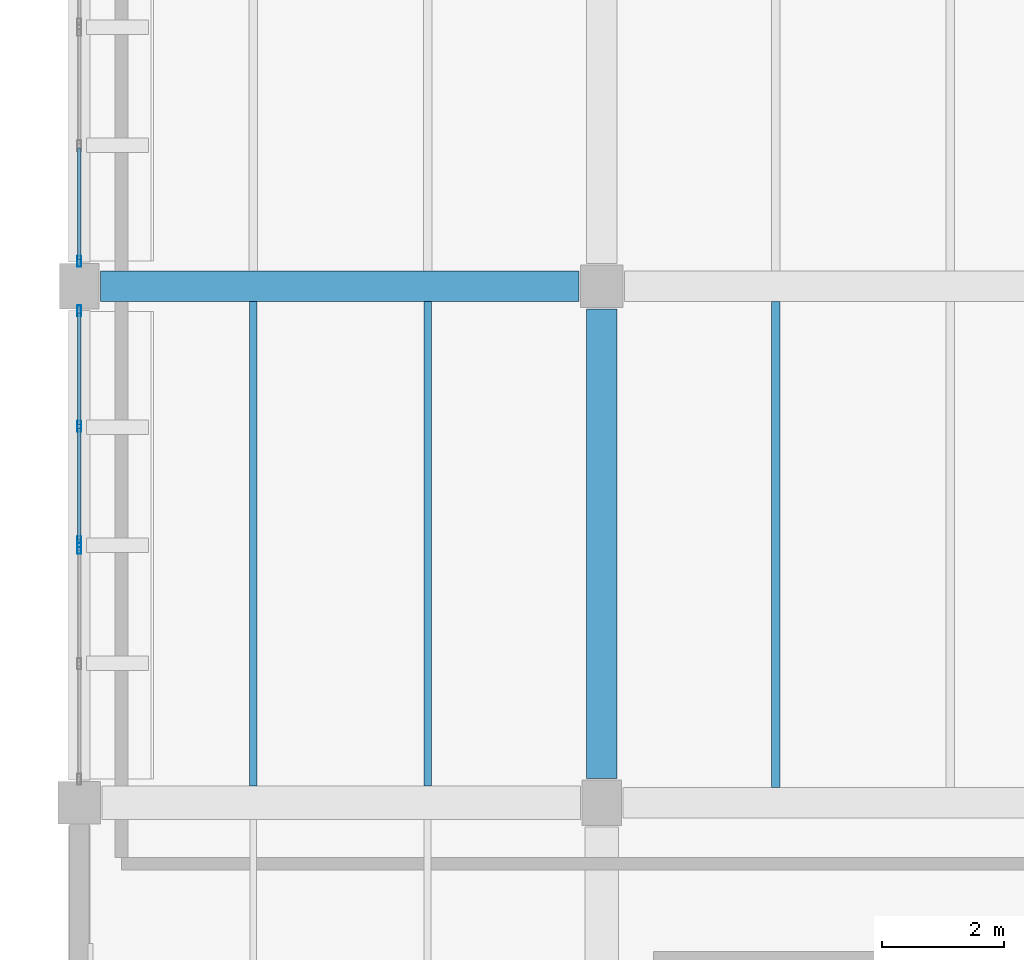
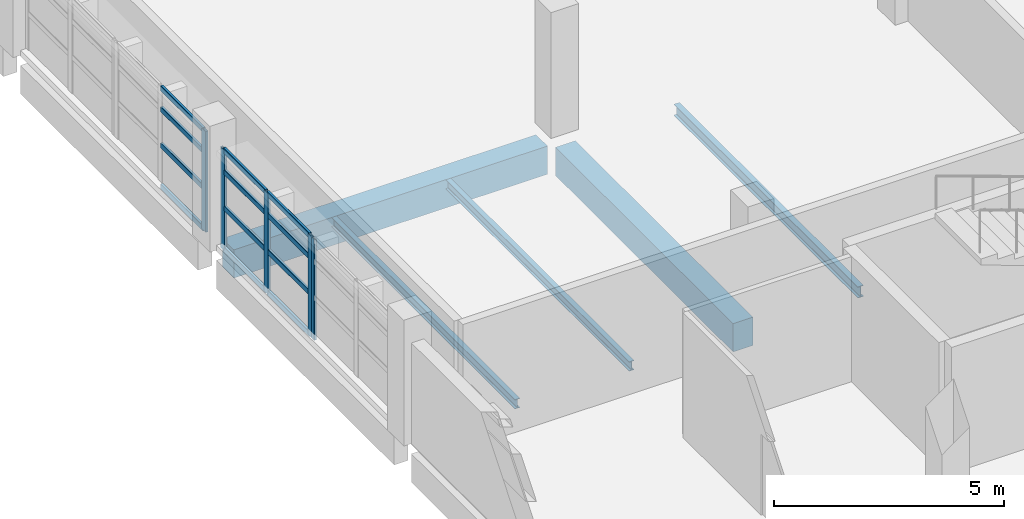
# One storey, part 16 of 75: 17 members, 5 beams, 3 elements without a shape of their own.
"""IFC4 building model written with IfcOpenShell, lengths in metres."""

from ifc_helpers import new_model, si_unit, direction, frame, origin, origin_2d, place, context, subcontext, project, spatial, rectangle, hollow_rectangle, i_section, extrude, material, material_profile, profile_set, type_object, element, aggregate, save


model = new_model("IFC4")

# Units and contexts
model_context = context("Model", 3, precision=1e-05, world=origin(), true_north=direction((0.0, 1.0)))
body_context = subcontext(model_context, "Body", "Model", "MODEL_VIEW")
ifc_project = project(units=[si_unit("LENGTHUNIT", "METRE"), si_unit("AREAUNIT", "SQUARE_METRE"), si_unit("VOLUMEUNIT", "CUBIC_METRE"), si_unit("PLANEANGLEUNIT", "RADIAN"), si_unit("MASSUNIT", "GRAM", prefix="KILO")], contexts=[model_context])

# Site, building, storey
site_placement = place(None, origin())
site = spatial("IfcSite", under=ifc_project, at=site_placement, CompositionType="ELEMENT")
building_placement = place(site_placement, origin())
building = spatial("IfcBuilding", under=site, at=building_placement, Name="Varnakota Cinema and Media Centre", CompositionType="ELEMENT")
storey_placement = place(building_placement, frame((0.0, 0.0, 8.39990234375)))
storey = spatial("IfcBuildingStorey", under=building, at=storey_placement, Name="L02", CompositionType="ELEMENT", Elevation=8.39990234375)

# Beams
ifc_material_1 = material(Name="Concrete M35", Category="concrete")
ifc_material_profile_1 = material_profile(ifc_material_1, rectangle(XDim=0.5, YDim=0.75, at=origin_2d()), Name="RCB 500x750")
ifc_profile_set_1 = profile_set([ifc_material_profile_1], Name="Concrete M35")
beam_type_1 = type_object("IfcBeamType", Name="BM-RC-500x750", PredefinedType="BEAM", material=ifc_profile_set_1)
beam_1_placement = place(storey_placement, frame((0.35009765625, 61.0, -0.625), z_axis=(1.0, 0.0, 0.0), x_axis=(0.0, 1.0, 0.0)))
element("IfcBeam", 1, at=beam_1_placement, inside=storey, type_object=beam_type_1, Name="L02 girder A-B/8", PredefinedType="BEAM", context=body_context, shape_type="SweptSolid", body=[
    extrude(rectangle(XDim=0.5, YDim=0.75, at=origin_2d()), origin(), (0.0, 0.0, 1.0), 7.875),
])
beam_2_placement = place(storey_placement, frame((8.60009765625, 52.89990234375, -0.625), z_axis=(0.0, 1.0, 0.0), x_axis=(-1.0, 0.0, 0.0)))
element("IfcBeam", 2, at=beam_2_placement, inside=storey, type_object=beam_type_1, Name="L02 girder B/7-8", PredefinedType="BEAM", context=body_context, shape_type="SweptSolid", body=[
    extrude(rectangle(XDim=0.5, YDim=0.75, at=origin_2d()), origin(), (0.0, 0.0, 1.0), 7.72509765625),
])
ifc_material_2 = material(Name="Structural steel Grade 350 (E350)", Category="steel")
ifc_material_profile_2 = material_profile(ifc_material_2, i_section(OverallWidth=0.125, OverallDepth=0.25, WebThickness=0.0068359375, FlangeThickness=0.012451171875, FilletRadius=0.012939453125, at=origin_2d()), Name="ISMB 250")
ifc_profile_set_2 = profile_set([ifc_material_profile_2], Name="Structural steel Grade 350 (E350)")
beam_type_2 = type_object("IfcBeamType", Name="BM-ST-ISMB250", PredefinedType="JOIST", material=ifc_profile_set_2)
for number, where, z_axis, x_axis, name in (
    (3, (2.86669921875, 52.77490234375, -0.375), (0.0, 1.0, 0.0), (-1.0, 0.0, 0.0), "L02 steel joist A-B/7-8 #1"),
    (4, (5.7333984375, 52.77490234375, -0.375), (0.0, 1.0, 0.0), (-1.0, 0.0, 0.0), "L02 steel joist A-B/7-8 #2"),
):
    element("IfcBeam", number, at=place(storey_placement, frame(where, z_axis=z_axis, x_axis=x_axis)), inside=storey, type_object=beam_type_2, Name=name, PredefinedType="JOIST", context=body_context, shape_type="SweptSolid", body=[
        extrude(i_section(OverallWidth=0.125, OverallDepth=0.25, WebThickness=0.0068359375, FlangeThickness=0.012451171875, FilletRadius=0.012939453125, at=origin_2d()), origin(), (0.0, 0.0, 1.0), 7.97509765625),
    ])
ifc_material_3 = material(Name="Structural steel Grade 350 (E350)", Category="steel")
ifc_material_profile_3 = material_profile(ifc_material_3, i_section(OverallWidth=0.139892578125, OverallDepth=0.300048828125, WebThickness=0.0078125, FlangeThickness=0.01318359375, FilletRadius=0.013916015625, at=origin_2d()), Name="ISMB 300")
ifc_profile_set_3 = profile_set([ifc_material_profile_3], Name="Structural steel Grade 350 (E350)")
beam_type_3 = type_object("IfcBeamType", Name="BM-ST-ISMB300", PredefinedType="JOIST", material=ifc_profile_set_3)
beam_3_placement = place(storey_placement, frame((11.466796875, 52.75, -0.39990234375), z_axis=(0.0, 1.0, 0.0), x_axis=(-1.0, 0.0, 0.0)))
element("IfcBeam", 5, at=beam_3_placement, inside=storey, type_object=beam_type_3, Name="L02 steel joist B-C/7-8 #1", PredefinedType="JOIST", context=body_context, shape_type="SweptSolid", body=[
    extrude(i_section(OverallWidth=0.139892578125, OverallDepth=0.300048828125, WebThickness=0.0078125, FlangeThickness=0.01318359375, FilletRadius=0.013916015625, at=origin_2d()), origin(), (0.0, 0.0, 1.0), 8.0),
])

# Curtain wall, member
ifc_material_4 = material(Name="Thermally broken anodised aluminium AW-6063", Category="aluminium")
curtain_wall_type = type_object("IfcCurtainWallType", Name="CW-STD-387x268", PredefinedType="USERDEFINED", material=ifc_material_4)
curtain_wall_1_placement = place(storey_placement, origin())
curtain_wall_1 = element("IfcCurtainWall", 6, at=curtain_wall_1_placement, inside=storey, type_object=curtain_wall_type, Name="L02 curtain wall CW-L02-V5-W-02-2", ObjectType="UNITISED CURTAIN WALL", PredefinedType="USERDEFINED")
ifc_material_5 = material(Name="Thermally broken anodised aluminium AW-6063", Category="aluminium")
ifc_material_profile_4 = material_profile(ifc_material_5, hollow_rectangle(XDim=0.06494140625, YDim=0.179931640625, WallThickness=0.00390625, InnerFilletRadius=0.00390625, OuterFilletRadius=0.008056640625, at=origin_2d()), Name="AL-MULLION 180x65x4")
ifc_profile_set_4 = profile_set([ifc_material_profile_4], Name="Thermally broken anodised aluminium AW-6063")
member_type_1 = type_object("IfcMemberType", Name="CWM-AL-180", PredefinedType="MULLION", material=ifc_profile_set_4)
member_1_placement = place(storey_placement, frame((0.0, 61.407470703125, 0.0), z_axis=(0.0, 0.0, 1.0), x_axis=(1.0, 0.0, 0.0)))
member_1 = element("IfcMember", 7, at=member_1_placement, type_object=member_type_1, Name="CW39 mullion 3", PredefinedType="MULLION", context=body_context, shape_type="SweptSolid", body=[
    extrude(hollow_rectangle(XDim=0.06494140625, YDim=0.179931640625, WallThickness=0.00390625, InnerFilletRadius=0.00390625, OuterFilletRadius=0.008056640625, at=origin_2d()), origin(), (0.0, 0.0, 1.0), 2.675048828125),
])

# Curtain wall, members
curtain_wall_2_placement = place(storey_placement, origin())
curtain_wall_2 = element("IfcCurtainWall", 8, at=curtain_wall_2_placement, inside=storey, type_object=curtain_wall_type, Name="L02 curtain wall CW-L02-V5-W-03-1", ObjectType="UNITISED CURTAIN WALL", PredefinedType="USERDEFINED")
member_2_placement = place(storey_placement, frame((0.0, 60.592529296875, 0.0), z_axis=(0.0, 0.0, 1.0), x_axis=(1.0, 0.0, 0.0)))
member_2 = element("IfcMember", 9, at=member_2_placement, type_object=member_type_1, Name="CW39 mullion 1", PredefinedType="MULLION", context=body_context, shape_type="SweptSolid", body=[
    extrude(hollow_rectangle(XDim=0.06494140625, YDim=0.179931640625, WallThickness=0.00390625, InnerFilletRadius=0.00390625, OuterFilletRadius=0.008056640625, at=origin_2d()), origin(), (0.0, 0.0, 1.0), 2.675048828125),
])
member_3_placement = place(storey_placement, frame((0.0, 58.691162109375, 0.0), z_axis=(0.0, 0.0, 1.0), x_axis=(1.0, 0.0, 0.0)))
member_3 = element("IfcMember", 10, at=member_3_placement, type_object=member_type_1, Name="CW39 mullion 2", PredefinedType="MULLION", context=body_context, shape_type="SweptSolid", body=[
    extrude(hollow_rectangle(XDim=0.06494140625, YDim=0.179931640625, WallThickness=0.00390625, InnerFilletRadius=0.00390625, OuterFilletRadius=0.008056640625, at=origin_2d()), origin(), (0.0, 0.0, 1.0), 2.675048828125),
])
member_4_placement = place(storey_placement, frame((0.0, 56.7900390625, 0.0), z_axis=(0.0, 0.0, 1.0), x_axis=(1.0, 0.0, 0.0)))
member_4 = element("IfcMember", 11, at=member_4_placement, type_object=member_type_1, Name="CW39 mullion 3", PredefinedType="MULLION", context=body_context, shape_type="SweptSolid", body=[
    extrude(hollow_rectangle(XDim=0.06494140625, YDim=0.179931640625, WallThickness=0.00390625, InnerFilletRadius=0.00390625, OuterFilletRadius=0.008056640625, at=origin_2d()), origin(), (0.0, 0.0, 1.0), 2.675048828125),
])

# Curtain wall, member
curtain_wall_3_placement = place(storey_placement, origin())
curtain_wall_3 = element("IfcCurtainWall", 12, at=curtain_wall_3_placement, inside=storey, type_object=curtain_wall_type, Name="L02 curtain wall CW-L02-V5-W-03-2", ObjectType="UNITISED CURTAIN WALL", PredefinedType="USERDEFINED")
member_5_placement = place(storey_placement, frame((0.0, 56.68505859375, 0.0), z_axis=(0.0, 0.0, 1.0), x_axis=(1.0, 0.0, 0.0)))
member_5 = element("IfcMember", 13, at=member_5_placement, type_object=member_type_1, Name="CW39 mullion 1", PredefinedType="MULLION", context=body_context, shape_type="SweptSolid", body=[
    extrude(hollow_rectangle(XDim=0.06494140625, YDim=0.179931640625, WallThickness=0.00390625, InnerFilletRadius=0.00390625, OuterFilletRadius=0.008056640625, at=origin_2d()), origin(), (0.0, 0.0, 1.0), 2.675048828125),
])
aggregate(curtain_wall_3, [member_5])

# Member
ifc_material_6 = material(Name="Thermally broken anodised aluminium AW-6063", Category="aluminium")
ifc_material_profile_5 = material_profile(ifc_material_6, hollow_rectangle(XDim=0.06494140625, YDim=0.139892578125, WallThickness=0.00390625, InnerFilletRadius=0.00390625, OuterFilletRadius=0.008056640625, at=origin_2d()), Name="AL-TRANSOM 140x65x4")
ifc_profile_set_5 = profile_set([ifc_material_profile_5], Name="Thermally broken anodised aluminium AW-6063")
member_type_2 = type_object("IfcMemberType", Name="CWT-AL-140", PredefinedType="USERDEFINED", material=ifc_profile_set_5)
member_6_placement = place(storey_placement, frame((0.0, 63.2763671875, 0.03271484375), z_axis=(0.0, -1.0, 0.0), x_axis=(1.0, 0.0, 0.0)))
member_6 = element("IfcMember", 14, at=member_6_placement, type_object=member_type_2, Name="CW39 transom 2.1", ObjectType="TRANSOM", PredefinedType="USERDEFINED", context=body_context, shape_type="SweptSolid", body=[
    extrude(hollow_rectangle(XDim=0.06494140625, YDim=0.139892578125, WallThickness=0.00390625, InnerFilletRadius=0.00390625, OuterFilletRadius=0.008056640625, at=origin_2d()), origin(), (0.0, 0.0, 1.0), 1.83642578125),
])

member_7_placement = place(storey_placement, frame((0.0, 63.2763671875, 1.12353515625), z_axis=(0.0, -1.0, 0.0), x_axis=(1.0, 0.0, 0.0)))
member_7 = element("IfcMember", 15, at=member_7_placement, type_object=member_type_2, Name="CW39 transom 2.2", ObjectType="TRANSOM", PredefinedType="USERDEFINED", context=body_context, shape_type="SweptSolid", body=[
    extrude(hollow_rectangle(XDim=0.06494140625, YDim=0.139892578125, WallThickness=0.00390625, InnerFilletRadius=0.00390625, OuterFilletRadius=0.008056640625, at=origin_2d()), origin(), (0.0, 0.0, 1.0), 1.83642578125),
])

member_8_placement = place(storey_placement, frame((0.0, 63.2763671875, 2.086669921875), z_axis=(0.0, -1.0, 0.0), x_axis=(1.0, 0.0, 0.0)))
member_8 = element("IfcMember", 16, at=member_8_placement, type_object=member_type_2, Name="CW39 transom 2.3", ObjectType="TRANSOM", PredefinedType="USERDEFINED", context=body_context, shape_type="SweptSolid", body=[
    extrude(hollow_rectangle(XDim=0.06494140625, YDim=0.139892578125, WallThickness=0.00390625, InnerFilletRadius=0.00390625, OuterFilletRadius=0.008056640625, at=origin_2d()), origin(), (0.0, 0.0, 1.0), 1.83642578125),
])

member_9_placement = place(storey_placement, frame((0.0, 63.2763671875, 2.642578125), z_axis=(0.0, -1.0, 0.0), x_axis=(1.0, 0.0, 0.0)))
member_9 = element("IfcMember", 17, at=member_9_placement, type_object=member_type_2, Name="CW39 transom 2.4", ObjectType="TRANSOM", PredefinedType="USERDEFINED", context=body_context, shape_type="SweptSolid", body=[
    extrude(hollow_rectangle(XDim=0.06494140625, YDim=0.139892578125, WallThickness=0.00390625, InnerFilletRadius=0.00390625, OuterFilletRadius=0.008056640625, at=origin_2d()), origin(), (0.0, 0.0, 1.0), 1.83642578125),
])

aggregate(curtain_wall_1, [member_1, member_6, member_7, member_8, member_9])

member_10_placement = place(storey_placement, frame((0.0, 60.56005859375, 0.03271484375), z_axis=(0.0, -1.0, 0.0), x_axis=(1.0, 0.0, 0.0)))
member_10 = element("IfcMember", 18, at=member_10_placement, type_object=member_type_2, Name="CW39 transom 1.1", ObjectType="TRANSOM", PredefinedType="USERDEFINED", context=body_context, shape_type="SweptSolid", body=[
    extrude(hollow_rectangle(XDim=0.06494140625, YDim=0.139892578125, WallThickness=0.00390625, InnerFilletRadius=0.00390625, OuterFilletRadius=0.008056640625, at=origin_2d()), origin(), (0.0, 0.0, 1.0), 1.83642578125),
])

member_11_placement = place(storey_placement, frame((0.0, 60.56005859375, 1.12353515625), z_axis=(0.0, -1.0, 0.0), x_axis=(1.0, 0.0, 0.0)))
member_11 = element("IfcMember", 19, at=member_11_placement, type_object=member_type_2, Name="CW39 transom 1.2", ObjectType="TRANSOM", PredefinedType="USERDEFINED", context=body_context, shape_type="SweptSolid", body=[
    extrude(hollow_rectangle(XDim=0.06494140625, YDim=0.139892578125, WallThickness=0.00390625, InnerFilletRadius=0.00390625, OuterFilletRadius=0.008056640625, at=origin_2d()), origin(), (0.0, 0.0, 1.0), 1.83642578125),
])

member_12_placement = place(storey_placement, frame((0.0, 60.56005859375, 2.086669921875), z_axis=(0.0, -1.0, 0.0), x_axis=(1.0, 0.0, 0.0)))
member_12 = element("IfcMember", 20, at=member_12_placement, type_object=member_type_2, Name="CW39 transom 1.3", ObjectType="TRANSOM", PredefinedType="USERDEFINED", context=body_context, shape_type="SweptSolid", body=[
    extrude(hollow_rectangle(XDim=0.06494140625, YDim=0.139892578125, WallThickness=0.00390625, InnerFilletRadius=0.00390625, OuterFilletRadius=0.008056640625, at=origin_2d()), origin(), (0.0, 0.0, 1.0), 1.83642578125),
])

member_13_placement = place(storey_placement, frame((0.0, 60.56005859375, 2.642578125), z_axis=(0.0, -1.0, 0.0), x_axis=(1.0, 0.0, 0.0)))
member_13 = element("IfcMember", 21, at=member_13_placement, type_object=member_type_2, Name="CW39 transom 1.4", ObjectType="TRANSOM", PredefinedType="USERDEFINED", context=body_context, shape_type="SweptSolid", body=[
    extrude(hollow_rectangle(XDim=0.06494140625, YDim=0.139892578125, WallThickness=0.00390625, InnerFilletRadius=0.00390625, OuterFilletRadius=0.008056640625, at=origin_2d()), origin(), (0.0, 0.0, 1.0), 1.83642578125),
])

member_14_placement = place(storey_placement, frame((0.0, 58.65869140625, 0.03271484375), z_axis=(0.0, -1.0, 0.0), x_axis=(1.0, 0.0, 0.0)))
member_14 = element("IfcMember", 22, at=member_14_placement, type_object=member_type_2, Name="CW39 transom 2.1", ObjectType="TRANSOM", PredefinedType="USERDEFINED", context=body_context, shape_type="SweptSolid", body=[
    extrude(hollow_rectangle(XDim=0.06494140625, YDim=0.139892578125, WallThickness=0.00390625, InnerFilletRadius=0.00390625, OuterFilletRadius=0.008056640625, at=origin_2d()), origin(), (0.0, 0.0, 1.0), 1.836181640625),
])

member_15_placement = place(storey_placement, frame((0.0, 58.65869140625, 1.12353515625), z_axis=(0.0, -1.0, 0.0), x_axis=(1.0, 0.0, 0.0)))
member_15 = element("IfcMember", 23, at=member_15_placement, type_object=member_type_2, Name="CW39 transom 2.2", ObjectType="TRANSOM", PredefinedType="USERDEFINED", context=body_context, shape_type="SweptSolid", body=[
    extrude(hollow_rectangle(XDim=0.06494140625, YDim=0.139892578125, WallThickness=0.00390625, InnerFilletRadius=0.00390625, OuterFilletRadius=0.008056640625, at=origin_2d()), origin(), (0.0, 0.0, 1.0), 1.836181640625),
])

member_16_placement = place(storey_placement, frame((0.0, 58.65869140625, 2.086669921875), z_axis=(0.0, -1.0, 0.0), x_axis=(1.0, 0.0, 0.0)))
member_16 = element("IfcMember", 24, at=member_16_placement, type_object=member_type_2, Name="CW39 transom 2.3", ObjectType="TRANSOM", PredefinedType="USERDEFINED", context=body_context, shape_type="SweptSolid", body=[
    extrude(hollow_rectangle(XDim=0.06494140625, YDim=0.139892578125, WallThickness=0.00390625, InnerFilletRadius=0.00390625, OuterFilletRadius=0.008056640625, at=origin_2d()), origin(), (0.0, 0.0, 1.0), 1.836181640625),
])

member_17_placement = place(storey_placement, frame((0.0, 58.65869140625, 2.642578125), z_axis=(0.0, -1.0, 0.0), x_axis=(1.0, 0.0, 0.0)))
member_17 = element("IfcMember", 25, at=member_17_placement, type_object=member_type_2, Name="CW39 transom 2.4", ObjectType="TRANSOM", PredefinedType="USERDEFINED", context=body_context, shape_type="SweptSolid", body=[
    extrude(hollow_rectangle(XDim=0.06494140625, YDim=0.139892578125, WallThickness=0.00390625, InnerFilletRadius=0.00390625, OuterFilletRadius=0.008056640625, at=origin_2d()), origin(), (0.0, 0.0, 1.0), 1.836181640625),
])

aggregate(curtain_wall_2, [member_2, member_3, member_4, member_10, member_11, member_12, member_13, member_14, member_15, member_16, member_17])

save(model, "model.ifc")
